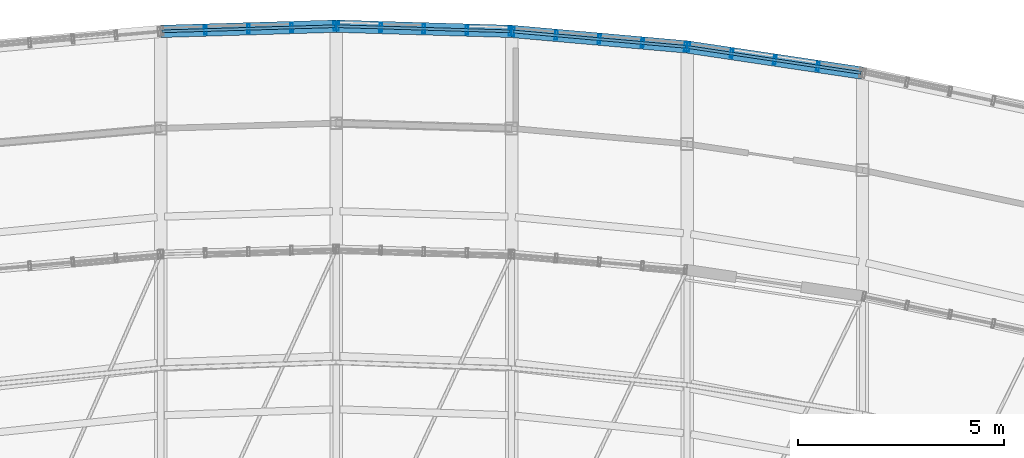
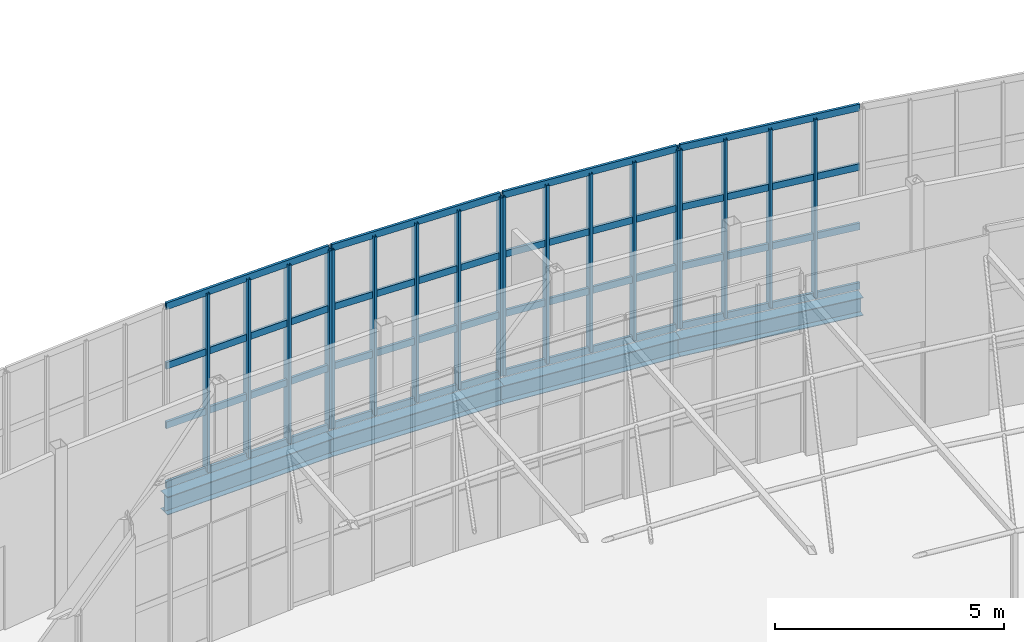
# One storey, part 22 of 35: 34 members, 4 beams, 4 elements without a shape of their own.
"""IFC4 building model written with IfcOpenShell, lengths in metres."""

from ifc_helpers import new_model, si_unit, direction, frame, origin, origin_2d, place, context, subcontext, project, spatial, hollow_rectangle, i_section, extrude, material, material_profile, profile_set, type_object, element, aggregate, save


model = new_model("IFC4")

# Units and contexts
model_context = context("Model", 3, precision=1e-05, world=origin(), true_north=direction((0.0, 1.0)))
body_context = subcontext(model_context, "Body", "Model", "MODEL_VIEW")
ifc_project = project(units=[si_unit("LENGTHUNIT", "METRE"), si_unit("AREAUNIT", "SQUARE_METRE"), si_unit("VOLUMEUNIT", "CUBIC_METRE"), si_unit("PLANEANGLEUNIT", "RADIAN"), si_unit("MASSUNIT", "GRAM", prefix="KILO")], contexts=[model_context])

# Site, building, storey
site_placement = place(None, origin())
site = spatial("IfcSite", under=ifc_project, at=site_placement, CompositionType="ELEMENT")
building_placement = place(site_placement, origin())
building = spatial("IfcBuilding", under=site, at=building_placement, Name="Solvikara Media Centre", CompositionType="ELEMENT")
storey_placement = place(building_placement, frame((0.0, 0.0, 29.39990234375)))
storey = spatial("IfcBuildingStorey", under=building, at=storey_placement, Name="L06", CompositionType="ELEMENT", Elevation=29.39990234375)

# Beams
ifc_material_1 = material(Name="Steel S355JR", Category="steel")
ifc_material_profile_1 = material_profile(ifc_material_1, i_section(OverallWidth=0.300048828125, OverallDepth=0.48193359375, WebThickness=0.010986328125, FlangeThickness=0.014892578125, at=origin_2d()), Name="WF 482x300x11x15")
ifc_profile_set_1 = profile_set([ifc_material_profile_1], Name="Steel S355JR")
beam_type = type_object("IfcBeamType", Name="BM-32", PredefinedType="SPANDREL", material=ifc_profile_set_1)
for number, where, z_axis, x_axis, name in (
    (1, (97.75, 41.341064453125, -0.462890625), (0.99956097871, 0.029628530849, 0.0), (-0.029628530849, 0.99956097871, 0.0), "B-L06-NARC-05"),
    (2, (102.0, 41.467041015625, -0.462890625), (0.99956097871, -0.029628530849, 0.0), (0.029628530849, 0.99956097871, 0.0), "B-L06-NARC-06"),
):
    element("IfcBeam", number, at=place(storey_placement, frame(where, z_axis=z_axis, x_axis=x_axis)), inside=storey, type_object=beam_type, Name=name, PredefinedType="SPANDREL", context=body_context, shape_type="SweptSolid", body=[
        extrude(i_section(OverallWidth=0.300048828125, OverallDepth=0.48193359375, WebThickness=0.010986328125, FlangeThickness=0.014892578125, at=origin_2d()), origin(), (0.0, 0.0, 1.0), 4.251953125),
    ])
beam_1_placement = place(storey_placement, frame((106.25, 41.341064453125, -0.462890625), z_axis=(0.996089667749, -0.088348026597, 0.0), x_axis=(0.088348026597, 0.996089667749, 0.0)))
element("IfcBeam", 3, at=beam_1_placement, inside=storey, type_object=beam_type, Name="B-L06-NARC-07", PredefinedType="SPANDREL", context=body_context, shape_type="SweptSolid", body=[
    extrude(i_section(OverallWidth=0.300048828125, OverallDepth=0.48193359375, WebThickness=0.010986328125, FlangeThickness=0.014892578125, at=origin_2d()), origin(), (0.0, 0.0, 1.0), 4.2666015625),
])
beam_2_placement = place(storey_placement, frame((110.5, 40.964111328125, -0.462890625), z_axis=(0.989021203369, -0.147773675894, 0.0), x_axis=(0.147773675894, 0.989021203369, 0.0)))
element("IfcBeam", 4, at=beam_2_placement, inside=storey, type_object=beam_type, Name="B-L06-NARC-08", PredefinedType="SPANDREL", context=body_context, shape_type="SweptSolid", body=[
    extrude(i_section(OverallWidth=0.300048828125, OverallDepth=0.48193359375, WebThickness=0.010986328125, FlangeThickness=0.014892578125, at=origin_2d()), origin(), (0.0, 0.0, 1.0), 4.297119140625),
])

# Curtain wall, members
ifc_material_2 = material(Name="Anodised aluminium EN AW-6063", Category="aluminium")
curtain_wall_type = type_object("IfcCurtainWallType", Name="CW-13", PredefinedType="NOTDEFINED", material=ifc_material_2)
curtain_wall_1_placement = place(storey_placement, origin())
curtain_wall_1 = element("IfcCurtainWall", 5, at=curtain_wall_1_placement, inside=storey, type_object=curtain_wall_type, Name="CW-L06-NARC-05", PredefinedType="NOTDEFINED")
ifc_material_profile_2 = material_profile(ifc_material_2, hollow_rectangle(XDim=0.06494140625, YDim=0.219970703125, WallThickness=0.00390625, at=origin_2d()), Name="ALU-M 65x220x4")
ifc_profile_set_2 = profile_set([ifc_material_profile_2], Name="Anodised aluminium EN AW-6063")
member_type_1 = type_object("IfcMemberType", Name="MF-01", PredefinedType="MULLION", material=ifc_profile_set_2)
member_1_placement = place(storey_placement, frame((98.830078125, 41.373046875, 0.02001953125), z_axis=(0.0, 0.0, 1.0), x_axis=(0.999560377741, 0.02964879847, 0.0)))
member_1 = element("IfcMember", 6, at=member_1_placement, type_object=member_type_1, Name="CW-L06-NARC-05-M01", PredefinedType="MULLION", context=body_context, shape_type="SweptSolid", body=[
    extrude(hollow_rectangle(XDim=0.06494140625, YDim=0.219970703125, WallThickness=0.00390625, at=origin_2d()), origin(), (0.0, 0.0, 1.0), 4.760009765625),
])
member_2_placement = place(storey_placement, frame((99.875, 41.404052734375, 0.02001953125), z_axis=(0.0, 0.0, 1.0), x_axis=(0.999560377741, 0.02964879847, 0.0)))
member_2 = element("IfcMember", 7, at=member_2_placement, type_object=member_type_1, Name="CW-L06-NARC-05-M02", PredefinedType="MULLION", context=body_context, shape_type="SweptSolid", body=[
    extrude(hollow_rectangle(XDim=0.06494140625, YDim=0.219970703125, WallThickness=0.00390625, at=origin_2d()), origin(), (0.0, 0.0, 1.0), 4.760009765625),
])
member_3_placement = place(storey_placement, frame((100.919921875, 41.43505859375, 0.02001953125), z_axis=(0.0, 0.0, 1.0), x_axis=(0.999560377741, 0.02964879847, 0.0)))
member_3 = element("IfcMember", 8, at=member_3_placement, type_object=member_type_1, Name="CW-L06-NARC-05-M03", PredefinedType="MULLION", context=body_context, shape_type="SweptSolid", body=[
    extrude(hollow_rectangle(XDim=0.06494140625, YDim=0.219970703125, WallThickness=0.00390625, at=origin_2d()), origin(), (0.0, 0.0, 1.0), 4.760009765625),
])
member_4_placement = place(storey_placement, frame((101.965087890625, 41.466064453125, 0.02001953125), z_axis=(0.0, 0.0, 1.0), x_axis=(0.999560377741, 0.02964879847, 0.0)))
member_4 = element("IfcMember", 9, at=member_4_placement, type_object=member_type_1, Name="CW-L06-NARC-05-M04", PredefinedType="MULLION", context=body_context, shape_type="SweptSolid", body=[
    extrude(hollow_rectangle(XDim=0.06494140625, YDim=0.219970703125, WallThickness=0.00390625, at=origin_2d()), origin(), (0.0, 0.0, 1.0), 4.760009765625),
])

curtain_wall_2_placement = place(storey_placement, origin())
curtain_wall_2 = element("IfcCurtainWall", 10, at=curtain_wall_2_placement, inside=storey, type_object=curtain_wall_type, Name="CW-L06-NARC-06", PredefinedType="NOTDEFINED")
member_5_placement = place(storey_placement, frame((102.034912109375, 41.466064453125, 0.02001953125), z_axis=(0.0, 0.0, 1.0), x_axis=(0.999560377741, -0.02964879847, 0.0)))
member_5 = element("IfcMember", 11, at=member_5_placement, type_object=member_type_1, Name="CW-L06-NARC-06-M00", PredefinedType="MULLION", context=body_context, shape_type="SweptSolid", body=[
    extrude(hollow_rectangle(XDim=0.06494140625, YDim=0.219970703125, WallThickness=0.00390625, at=origin_2d()), origin(), (0.0, 0.0, 1.0), 4.760009765625),
])
member_6_placement = place(storey_placement, frame((103.080078125, 41.43505859375, 0.02001953125), z_axis=(0.0, 0.0, 1.0), x_axis=(0.999560377741, -0.02964879847, 0.0)))
member_6 = element("IfcMember", 12, at=member_6_placement, type_object=member_type_1, Name="CW-L06-NARC-06-M01", PredefinedType="MULLION", context=body_context, shape_type="SweptSolid", body=[
    extrude(hollow_rectangle(XDim=0.06494140625, YDim=0.219970703125, WallThickness=0.00390625, at=origin_2d()), origin(), (0.0, 0.0, 1.0), 4.760009765625),
])
member_7_placement = place(storey_placement, frame((104.125, 41.404052734375, 0.02001953125), z_axis=(0.0, 0.0, 1.0), x_axis=(0.999560377741, -0.02964879847, 0.0)))
member_7 = element("IfcMember", 13, at=member_7_placement, type_object=member_type_1, Name="CW-L06-NARC-06-M02", PredefinedType="MULLION", context=body_context, shape_type="SweptSolid", body=[
    extrude(hollow_rectangle(XDim=0.06494140625, YDim=0.219970703125, WallThickness=0.00390625, at=origin_2d()), origin(), (0.0, 0.0, 1.0), 4.760009765625),
])
member_8_placement = place(storey_placement, frame((105.169921875, 41.373046875, 0.02001953125), z_axis=(0.0, 0.0, 1.0), x_axis=(0.999560377741, -0.02964879847, 0.0)))
member_8 = element("IfcMember", 14, at=member_8_placement, type_object=member_type_1, Name="CW-L06-NARC-06-M03", PredefinedType="MULLION", context=body_context, shape_type="SweptSolid", body=[
    extrude(hollow_rectangle(XDim=0.06494140625, YDim=0.219970703125, WallThickness=0.00390625, at=origin_2d()), origin(), (0.0, 0.0, 1.0), 4.760009765625),
])
member_9_placement = place(storey_placement, frame((106.215087890625, 41.342041015625, 0.02001953125), z_axis=(0.0, 0.0, 1.0), x_axis=(0.999560377741, -0.02964879847, 0.0)))
member_9 = element("IfcMember", 15, at=member_9_placement, type_object=member_type_1, Name="CW-L06-NARC-06-M04", PredefinedType="MULLION", context=body_context, shape_type="SweptSolid", body=[
    extrude(hollow_rectangle(XDim=0.06494140625, YDim=0.219970703125, WallThickness=0.00390625, at=origin_2d()), origin(), (0.0, 0.0, 1.0), 4.760009765625),
])

curtain_wall_3_placement = place(storey_placement, origin())
curtain_wall_3 = element("IfcCurtainWall", 16, at=curtain_wall_3_placement, inside=storey, type_object=curtain_wall_type, Name="CW-L06-NARC-07", PredefinedType="NOTDEFINED")
member_10_placement = place(storey_placement, frame((106.284912109375, 41.337890625, 0.02001953125), z_axis=(0.0, 0.0, 1.0), x_axis=(0.99608438842, -0.088407528781, 0.0)))
member_10 = element("IfcMember", 17, at=member_10_placement, type_object=member_type_1, Name="CW-L06-NARC-07-M00", PredefinedType="MULLION", context=body_context, shape_type="SweptSolid", body=[
    extrude(hollow_rectangle(XDim=0.06494140625, YDim=0.219970703125, WallThickness=0.00390625, at=origin_2d()), origin(), (0.0, 0.0, 1.0), 4.760009765625),
])
member_11_placement = place(storey_placement, frame((107.330078125, 41.2451171875, 0.02001953125), z_axis=(0.0, 0.0, 1.0), x_axis=(0.99608438842, -0.088407528781, 0.0)))
member_11 = element("IfcMember", 18, at=member_11_placement, type_object=member_type_1, Name="CW-L06-NARC-07-M01", PredefinedType="MULLION", context=body_context, shape_type="SweptSolid", body=[
    extrude(hollow_rectangle(XDim=0.06494140625, YDim=0.219970703125, WallThickness=0.00390625, at=origin_2d()), origin(), (0.0, 0.0, 1.0), 4.760009765625),
])
member_12_placement = place(storey_placement, frame((108.375, 41.153076171875, 0.02001953125), z_axis=(0.0, 0.0, 1.0), x_axis=(0.99608438842, -0.088407528781, 0.0)))
member_12 = element("IfcMember", 19, at=member_12_placement, type_object=member_type_1, Name="CW-L06-NARC-07-M02", PredefinedType="MULLION", context=body_context, shape_type="SweptSolid", body=[
    extrude(hollow_rectangle(XDim=0.06494140625, YDim=0.219970703125, WallThickness=0.00390625, at=origin_2d()), origin(), (0.0, 0.0, 1.0), 4.760009765625),
])
member_13_placement = place(storey_placement, frame((109.419921875, 41.06005859375, 0.02001953125), z_axis=(0.0, 0.0, 1.0), x_axis=(0.99608438842, -0.088407528781, 0.0)))
member_13 = element("IfcMember", 20, at=member_13_placement, type_object=member_type_1, Name="CW-L06-NARC-07-M03", PredefinedType="MULLION", context=body_context, shape_type="SweptSolid", body=[
    extrude(hollow_rectangle(XDim=0.06494140625, YDim=0.219970703125, WallThickness=0.00390625, at=origin_2d()), origin(), (0.0, 0.0, 1.0), 4.760009765625),
])
member_14_placement = place(storey_placement, frame((110.465087890625, 40.967041015625, 0.02001953125), z_axis=(0.0, 0.0, 1.0), x_axis=(0.99608438842, -0.088407528781, 0.0)))
member_14 = element("IfcMember", 21, at=member_14_placement, type_object=member_type_1, Name="CW-L06-NARC-07-M04", PredefinedType="MULLION", context=body_context, shape_type="SweptSolid", body=[
    extrude(hollow_rectangle(XDim=0.06494140625, YDim=0.219970703125, WallThickness=0.00390625, at=origin_2d()), origin(), (0.0, 0.0, 1.0), 4.760009765625),
])

curtain_wall_4_placement = place(storey_placement, origin())
curtain_wall_4 = element("IfcCurtainWall", 22, at=curtain_wall_4_placement, inside=storey, type_object=curtain_wall_type, Name="CW-L06-NARC-08", PredefinedType="NOTDEFINED")
member_15_placement = place(storey_placement, frame((110.534912109375, 40.958984375, 0.02001953125), z_axis=(0.0, 0.0, 1.0), x_axis=(0.989005541908, -0.147878457102, 0.0)))
member_15 = element("IfcMember", 23, at=member_15_placement, type_object=member_type_1, Name="CW-L06-NARC-08-M00", PredefinedType="MULLION", context=body_context, shape_type="SweptSolid", body=[
    extrude(hollow_rectangle(XDim=0.06494140625, YDim=0.219970703125, WallThickness=0.00390625, at=origin_2d()), origin(), (0.0, 0.0, 1.0), 4.760009765625),
])
member_16_placement = place(storey_placement, frame((111.580078125, 40.802978515625, 0.02001953125), z_axis=(0.0, 0.0, 1.0), x_axis=(0.989005541908, -0.147878457102, 0.0)))
member_16 = element("IfcMember", 24, at=member_16_placement, type_object=member_type_1, Name="CW-L06-NARC-08-M01", PredefinedType="MULLION", context=body_context, shape_type="SweptSolid", body=[
    extrude(hollow_rectangle(XDim=0.06494140625, YDim=0.219970703125, WallThickness=0.00390625, at=origin_2d()), origin(), (0.0, 0.0, 1.0), 4.760009765625),
])
member_17_placement = place(storey_placement, frame((112.625, 40.64697265625, 0.02001953125), z_axis=(0.0, 0.0, 1.0), x_axis=(0.989005541908, -0.147878457102, 0.0)))
member_17 = element("IfcMember", 25, at=member_17_placement, type_object=member_type_1, Name="CW-L06-NARC-08-M02", PredefinedType="MULLION", context=body_context, shape_type="SweptSolid", body=[
    extrude(hollow_rectangle(XDim=0.06494140625, YDim=0.219970703125, WallThickness=0.00390625, at=origin_2d()), origin(), (0.0, 0.0, 1.0), 4.760009765625),
])
member_18_placement = place(storey_placement, frame((113.669921875, 40.489990234375, 0.02001953125), z_axis=(0.0, 0.0, 1.0), x_axis=(0.989005541908, -0.147878457102, 0.0)))
member_18 = element("IfcMember", 26, at=member_18_placement, type_object=member_type_1, Name="CW-L06-NARC-08-M03", PredefinedType="MULLION", context=body_context, shape_type="SweptSolid", body=[
    extrude(hollow_rectangle(XDim=0.06494140625, YDim=0.219970703125, WallThickness=0.00390625, at=origin_2d()), origin(), (0.0, 0.0, 1.0), 4.760009765625),
])

# Member
ifc_material_profile_3 = material_profile(ifc_material_2, hollow_rectangle(XDim=0.06494140625, YDim=0.179931640625, WallThickness=0.00341796875, at=origin_2d()), Name="ALU-T 65x180x3.5")
ifc_profile_set_3 = profile_set([ifc_material_profile_3], Name="Anodised aluminium EN AW-6063")
member_type_2 = type_object("IfcMemberType", Name="MF-07", PredefinedType="USERDEFINED", material=ifc_profile_set_3)
member_19_placement = place(storey_placement, frame((97.784912109375, 41.342041015625, 0.02001953125), z_axis=(0.999560152797, 0.029656381125, 0.0), x_axis=(-0.029656381125, 0.999560152797, 0.0)))
member_19 = element("IfcMember", 27, at=member_19_placement, type_object=member_type_2, Name="CW-L06-NARC-05-T00", ObjectType="TRANSOM", PredefinedType="USERDEFINED", context=body_context, shape_type="SweptSolid", body=[
    extrude(hollow_rectangle(XDim=0.06494140625, YDim=0.179931640625, WallThickness=0.00341796875, at=origin_2d()), origin(), (0.0, 0.0, 1.0), 4.18212890625),
])

member_20_placement = place(storey_placement, frame((97.784912109375, 41.342041015625, 1.607177734375), z_axis=(0.999560152797, 0.029656381125, 0.0), x_axis=(-0.029656381125, 0.999560152797, 0.0)))
member_20 = element("IfcMember", 28, at=member_20_placement, type_object=member_type_2, Name="CW-L06-NARC-05-T01", ObjectType="TRANSOM", PredefinedType="USERDEFINED", context=body_context, shape_type="SweptSolid", body=[
    extrude(hollow_rectangle(XDim=0.06494140625, YDim=0.179931640625, WallThickness=0.00341796875, at=origin_2d()), origin(), (0.0, 0.0, 1.0), 4.18212890625),
])

member_21_placement = place(storey_placement, frame((97.784912109375, 41.342041015625, 3.193115234375), z_axis=(0.999560152797, 0.029656381125, 0.0), x_axis=(-0.029656381125, 0.999560152797, 0.0)))
member_21 = element("IfcMember", 29, at=member_21_placement, type_object=member_type_2, Name="CW-L06-NARC-05-T02", ObjectType="TRANSOM", PredefinedType="USERDEFINED", context=body_context, shape_type="SweptSolid", body=[
    extrude(hollow_rectangle(XDim=0.06494140625, YDim=0.179931640625, WallThickness=0.00341796875, at=origin_2d()), origin(), (0.0, 0.0, 1.0), 4.18212890625),
])

member_22_placement = place(storey_placement, frame((97.784912109375, 41.342041015625, 4.780029296875), z_axis=(0.999560152797, 0.029656381125, 0.0), x_axis=(-0.029656381125, 0.999560152797, 0.0)))
member_22 = element("IfcMember", 30, at=member_22_placement, type_object=member_type_2, Name="CW-L06-NARC-05-T03", ObjectType="TRANSOM", PredefinedType="USERDEFINED", context=body_context, shape_type="SweptSolid", body=[
    extrude(hollow_rectangle(XDim=0.06494140625, YDim=0.179931640625, WallThickness=0.00341796875, at=origin_2d()), origin(), (0.0, 0.0, 1.0), 4.18212890625),
])

aggregate(curtain_wall_1, [member_1, member_2, member_3, member_4, member_19, member_20, member_21, member_22])

member_23_placement = place(storey_placement, frame((102.034912109375, 41.466064453125, 0.02001953125), z_axis=(0.999560152797, -0.029656381125, 0.0), x_axis=(0.029656381125, 0.999560152797, 0.0)))
member_23 = element("IfcMember", 31, at=member_23_placement, type_object=member_type_2, Name="CW-L06-NARC-06-T00", ObjectType="TRANSOM", PredefinedType="USERDEFINED", context=body_context, shape_type="SweptSolid", body=[
    extrude(hollow_rectangle(XDim=0.06494140625, YDim=0.179931640625, WallThickness=0.00341796875, at=origin_2d()), origin(), (0.0, 0.0, 1.0), 4.18212890625),
])

member_24_placement = place(storey_placement, frame((102.034912109375, 41.466064453125, 1.607177734375), z_axis=(0.999560152797, -0.029656381125, 0.0), x_axis=(0.029656381125, 0.999560152797, 0.0)))
member_24 = element("IfcMember", 32, at=member_24_placement, type_object=member_type_2, Name="CW-L06-NARC-06-T01", ObjectType="TRANSOM", PredefinedType="USERDEFINED", context=body_context, shape_type="SweptSolid", body=[
    extrude(hollow_rectangle(XDim=0.06494140625, YDim=0.179931640625, WallThickness=0.00341796875, at=origin_2d()), origin(), (0.0, 0.0, 1.0), 4.18212890625),
])

member_25_placement = place(storey_placement, frame((102.034912109375, 41.466064453125, 3.193115234375), z_axis=(0.999560152797, -0.029656381125, 0.0), x_axis=(0.029656381125, 0.999560152797, 0.0)))
member_25 = element("IfcMember", 33, at=member_25_placement, type_object=member_type_2, Name="CW-L06-NARC-06-T02", ObjectType="TRANSOM", PredefinedType="USERDEFINED", context=body_context, shape_type="SweptSolid", body=[
    extrude(hollow_rectangle(XDim=0.06494140625, YDim=0.179931640625, WallThickness=0.00341796875, at=origin_2d()), origin(), (0.0, 0.0, 1.0), 4.18212890625),
])

member_26_placement = place(storey_placement, frame((102.034912109375, 41.466064453125, 4.780029296875), z_axis=(0.999560152797, -0.029656381125, 0.0), x_axis=(0.029656381125, 0.999560152797, 0.0)))
member_26 = element("IfcMember", 34, at=member_26_placement, type_object=member_type_2, Name="CW-L06-NARC-06-T03", ObjectType="TRANSOM", PredefinedType="USERDEFINED", context=body_context, shape_type="SweptSolid", body=[
    extrude(hollow_rectangle(XDim=0.06494140625, YDim=0.179931640625, WallThickness=0.00341796875, at=origin_2d()), origin(), (0.0, 0.0, 1.0), 4.18212890625),
])

aggregate(curtain_wall_2, [member_5, member_6, member_7, member_8, member_9, member_23, member_24, member_25, member_26])

member_27_placement = place(storey_placement, frame((106.284912109375, 41.337890625, 0.02001953125), z_axis=(0.996087790013, -0.08836919478, 0.0), x_axis=(0.08836919478, 0.996087790013, 0.0)))
member_27 = element("IfcMember", 35, at=member_27_placement, type_object=member_type_2, Name="CW-L06-NARC-07-T00", ObjectType="TRANSOM", PredefinedType="USERDEFINED", context=body_context, shape_type="SweptSolid", body=[
    extrude(hollow_rectangle(XDim=0.06494140625, YDim=0.179931640625, WallThickness=0.00341796875, at=origin_2d()), origin(), (0.0, 0.0, 1.0), 4.196533203125),
])

member_28_placement = place(storey_placement, frame((106.284912109375, 41.337890625, 1.607177734375), z_axis=(0.996087790013, -0.08836919478, 0.0), x_axis=(0.08836919478, 0.996087790013, 0.0)))
member_28 = element("IfcMember", 36, at=member_28_placement, type_object=member_type_2, Name="CW-L06-NARC-07-T01", ObjectType="TRANSOM", PredefinedType="USERDEFINED", context=body_context, shape_type="SweptSolid", body=[
    extrude(hollow_rectangle(XDim=0.06494140625, YDim=0.179931640625, WallThickness=0.00341796875, at=origin_2d()), origin(), (0.0, 0.0, 1.0), 4.196533203125),
])

member_29_placement = place(storey_placement, frame((106.284912109375, 41.337890625, 3.193115234375), z_axis=(0.996087790013, -0.08836919478, 0.0), x_axis=(0.08836919478, 0.996087790013, 0.0)))
member_29 = element("IfcMember", 37, at=member_29_placement, type_object=member_type_2, Name="CW-L06-NARC-07-T02", ObjectType="TRANSOM", PredefinedType="USERDEFINED", context=body_context, shape_type="SweptSolid", body=[
    extrude(hollow_rectangle(XDim=0.06494140625, YDim=0.179931640625, WallThickness=0.00341796875, at=origin_2d()), origin(), (0.0, 0.0, 1.0), 4.196533203125),
])

member_30_placement = place(storey_placement, frame((106.284912109375, 41.337890625, 4.780029296875), z_axis=(0.996087790013, -0.08836919478, 0.0), x_axis=(0.08836919478, 0.996087790013, 0.0)))
member_30 = element("IfcMember", 38, at=member_30_placement, type_object=member_type_2, Name="CW-L06-NARC-07-T03", ObjectType="TRANSOM", PredefinedType="USERDEFINED", context=body_context, shape_type="SweptSolid", body=[
    extrude(hollow_rectangle(XDim=0.06494140625, YDim=0.179931640625, WallThickness=0.00341796875, at=origin_2d()), origin(), (0.0, 0.0, 1.0), 4.196533203125),
])

aggregate(curtain_wall_3, [member_10, member_11, member_12, member_13, member_14, member_27, member_28, member_29, member_30])

member_31_placement = place(storey_placement, frame((110.534912109375, 40.958984375, 0.02001953125), z_axis=(0.989006573352, -0.147871558684, 0.0), x_axis=(0.147871558684, 0.989006573352, 0.0)))
member_31 = element("IfcMember", 39, at=member_31_placement, type_object=member_type_2, Name="CW-L06-NARC-08-T00", ObjectType="TRANSOM", PredefinedType="USERDEFINED", context=body_context, shape_type="SweptSolid", body=[
    extrude(hollow_rectangle(XDim=0.06494140625, YDim=0.179931640625, WallThickness=0.00341796875, at=origin_2d()), origin(), (0.0, 0.0, 1.0), 4.2265625),
])

member_32_placement = place(storey_placement, frame((110.534912109375, 40.958984375, 1.607177734375), z_axis=(0.989006573352, -0.147871558684, 0.0), x_axis=(0.147871558684, 0.989006573352, 0.0)))
member_32 = element("IfcMember", 40, at=member_32_placement, type_object=member_type_2, Name="CW-L06-NARC-08-T01", ObjectType="TRANSOM", PredefinedType="USERDEFINED", context=body_context, shape_type="SweptSolid", body=[
    extrude(hollow_rectangle(XDim=0.06494140625, YDim=0.179931640625, WallThickness=0.00341796875, at=origin_2d()), origin(), (0.0, 0.0, 1.0), 4.2265625),
])

member_33_placement = place(storey_placement, frame((110.534912109375, 40.958984375, 3.193115234375), z_axis=(0.989006573352, -0.147871558684, 0.0), x_axis=(0.147871558684, 0.989006573352, 0.0)))
member_33 = element("IfcMember", 41, at=member_33_placement, type_object=member_type_2, Name="CW-L06-NARC-08-T02", ObjectType="TRANSOM", PredefinedType="USERDEFINED", context=body_context, shape_type="SweptSolid", body=[
    extrude(hollow_rectangle(XDim=0.06494140625, YDim=0.179931640625, WallThickness=0.00341796875, at=origin_2d()), origin(), (0.0, 0.0, 1.0), 4.2265625),
])

member_34_placement = place(storey_placement, frame((110.534912109375, 40.958984375, 4.780029296875), z_axis=(0.989006573352, -0.147871558684, 0.0), x_axis=(0.147871558684, 0.989006573352, 0.0)))
member_34 = element("IfcMember", 42, at=member_34_placement, type_object=member_type_2, Name="CW-L06-NARC-08-T03", ObjectType="TRANSOM", PredefinedType="USERDEFINED", context=body_context, shape_type="SweptSolid", body=[
    extrude(hollow_rectangle(XDim=0.06494140625, YDim=0.179931640625, WallThickness=0.00341796875, at=origin_2d()), origin(), (0.0, 0.0, 1.0), 4.2265625),
])

aggregate(curtain_wall_4, [member_15, member_16, member_17, member_18, member_31, member_32, member_33, member_34])

save(model, "model.ifc")
